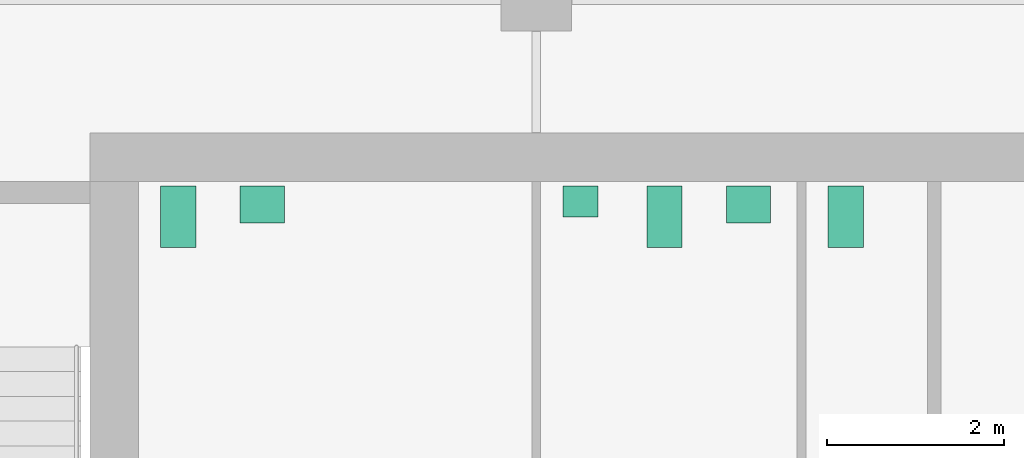
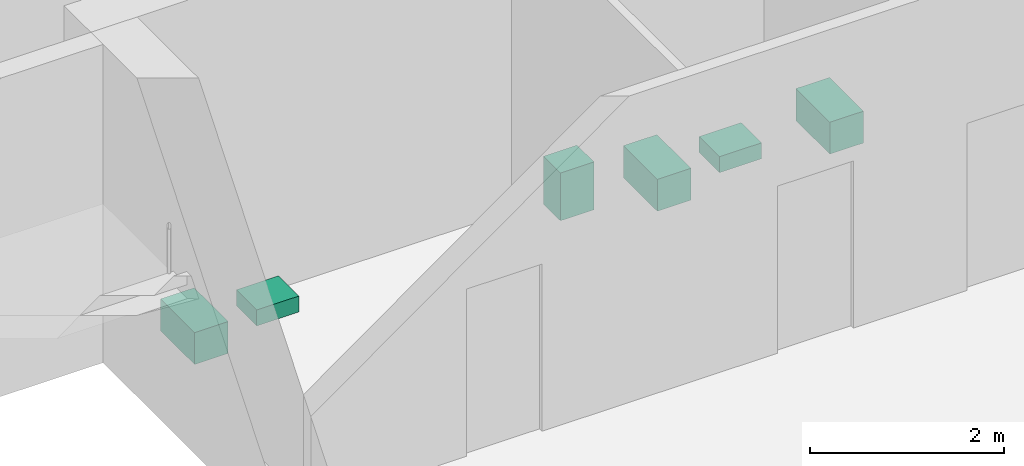
# One storey, part 8 of 8: 6 sanitary terminals.
"""IFC4 building model written with IfcOpenShell, lengths in metres."""

from ifc_helpers import new_model, si_unit, direction, frame, origin, origin_2d, place, context, subcontext, project, spatial, rectangle, extrude, material, type_object, element, save


model = new_model("IFC4")

# Units and contexts
model_context = context("Model", 3, precision=1e-05, world=origin(), true_north=direction((0.0, 1.0)))
body_context = subcontext(model_context, "Body", "Model", "MODEL_VIEW")
ifc_project = project(units=[si_unit("LENGTHUNIT", "METRE"), si_unit("AREAUNIT", "SQUARE_METRE"), si_unit("VOLUMEUNIT", "CUBIC_METRE"), si_unit("PLANEANGLEUNIT", "RADIAN"), si_unit("MASSUNIT", "GRAM", prefix="KILO")], contexts=[model_context])

# Site, building, storey
site_placement = place(None, origin())
site = spatial("IfcSite", under=ifc_project, at=site_placement, CompositionType="ELEMENT")
building_placement = place(site_placement, origin())
building = spatial("IfcBuilding", under=site, at=building_placement, Name="Cinnabar Reach Civic Tower", CompositionType="ELEMENT")
storey_placement = place(building_placement, frame((0.0, 0.0, 226.0)))
storey = spatial("IfcBuildingStorey", under=building, at=storey_placement, Name="L54", CompositionType="ELEMENT", Elevation=226.0)

# Sanitary terminals
ifc_material = material(Name="Vitreous china")
sanitary_terminal_type_1 = type_object("IfcSanitaryTerminalType", Name="T1 WC pan", PredefinedType="TOILETPAN", material=ifc_material)
for number, where, z_axis, x_axis, name in (
    (1, (4.95, 41.6, 0.0), (0.0, 0.0, 1.0), (1.0, 0.0, 0.0), "T1 WC pan 5408-1"),
    (2, (10.45, 41.6, 0.0), (0.0, 0.0, 1.0), (1.0, 0.0, 0.0), "T1 WC pan 5409-2"),
    (3, (12.5, 41.6, 0.0), (0.0, 0.0, 1.0), (1.0, 0.0, 0.0), "T1 WC pan 5410-1"),
):
    element("IfcSanitaryTerminal", number, at=place(storey_placement, frame(where, z_axis=z_axis, x_axis=x_axis)), inside=storey, type_object=sanitary_terminal_type_1, Name=name, PredefinedType="TOILETPAN", context=body_context, shape_type="SweptSolid", body=[
        extrude(rectangle(XDim=0.4, YDim=0.7, at=origin_2d()), origin(), (0.0, 0.0, 1.0), 0.4),
    ])
sanitary_terminal_type_2 = type_object("IfcSanitaryTerminalType", Name="T1 urinal", PredefinedType="URINAL", material=ifc_material)
sanitary_terminal_placement = place(storey_placement, frame((9.5, 41.775, 0.0), z_axis=(0.0, 0.0, 1.0), x_axis=(1.0, 0.0, 0.0)))
element("IfcSanitaryTerminal", 4, at=sanitary_terminal_placement, inside=storey, type_object=sanitary_terminal_type_2, Name="T1 urinal 5409-1", PredefinedType="URINAL", context=body_context, shape_type="SweptSolid", body=[
    extrude(rectangle(XDim=0.4, YDim=0.35, at=origin_2d()), origin(), (0.0, 0.0, 1.0), 0.6),
])
sanitary_terminal_type_3 = type_object("IfcSanitaryTerminalType", Name="T1 wash basin", PredefinedType="WASHHANDBASIN", material=ifc_material)
for number, where, z_axis, x_axis, name in (
    (5, (5.9, 41.74, 0.0), (0.0, 0.0, 1.0), (1.0, 0.0, 0.0), "T1 wash basin 5408-2"),
    (6, (11.4, 41.74, 0.0), (0.0, 0.0, 1.0), (1.0, 0.0, 0.0), "T1 wash basin 5409-3"),
):
    element("IfcSanitaryTerminal", number, at=place(storey_placement, frame(where, z_axis=z_axis, x_axis=x_axis)), inside=storey, type_object=sanitary_terminal_type_3, Name=name, PredefinedType="WASHHANDBASIN", context=body_context, shape_type="SweptSolid", body=[
        extrude(rectangle(XDim=0.5, YDim=0.42, at=origin_2d()), origin(), (0.0, 0.0, 1.0), 0.2),
    ])

save(model, "model.ifc")
